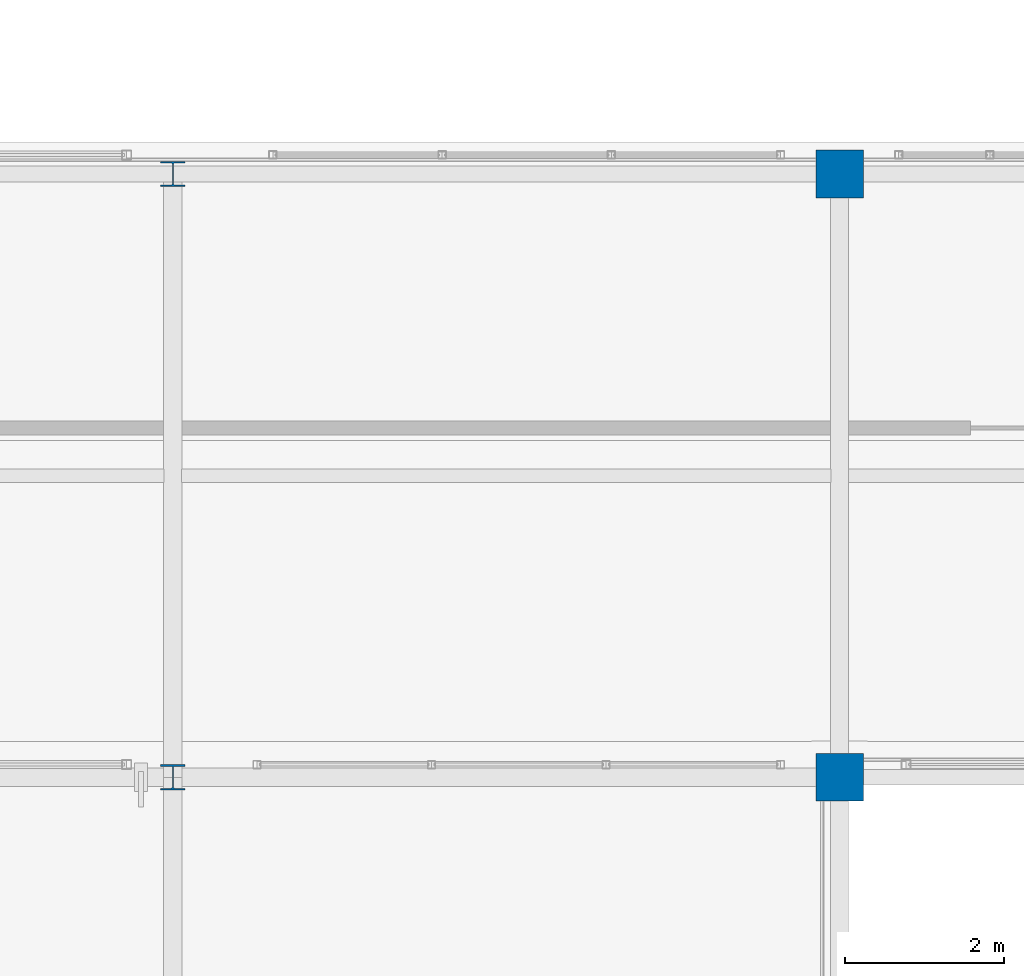
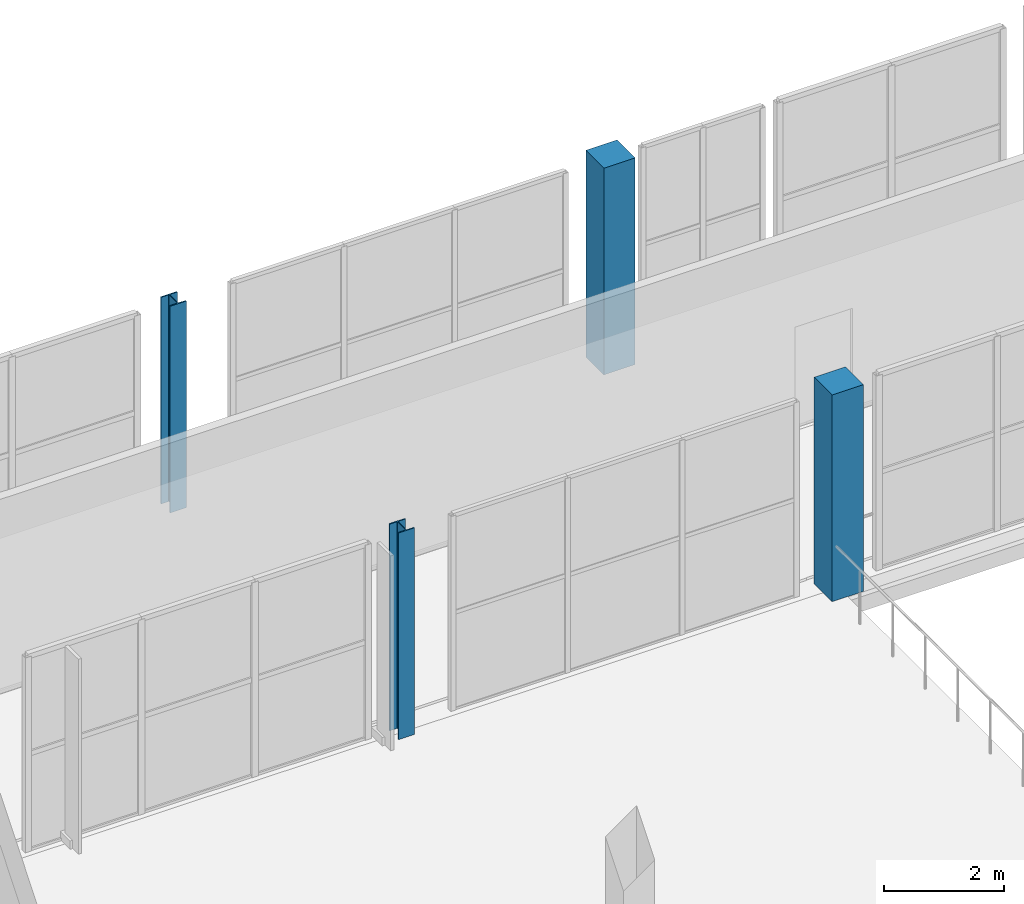
# One storey, part 3 of 151: 4 columns.
"""IFC4 building model written with IfcOpenShell, lengths in metres."""

from ifc_helpers import new_model, si_unit, direction, frame, origin, origin_2d, place, context, subcontext, project, spatial, rectangle, i_section, extrude, material, material_profile, profile_set, type_object, element, save


model = new_model("IFC4")

# Units and contexts
model_context = context("Model", 3, precision=1e-05, world=origin(), true_north=direction((0.0, 1.0)))
body_context = subcontext(model_context, "Body", "Model", "MODEL_VIEW")
ifc_project = project(units=[si_unit("LENGTHUNIT", "METRE"), si_unit("AREAUNIT", "SQUARE_METRE"), si_unit("VOLUMEUNIT", "CUBIC_METRE"), si_unit("PLANEANGLEUNIT", "RADIAN"), si_unit("MASSUNIT", "GRAM", prefix="KILO")], contexts=[model_context])

# Site, building, storey
site_placement = place(None, origin())
site = spatial("IfcSite", under=ifc_project, at=site_placement, CompositionType="ELEMENT")
building_placement = place(site_placement, origin())
building = spatial("IfcBuilding", under=site, at=building_placement, Name="Zuvorla Pavilion Media Centre", CompositionType="ELEMENT")
storey_placement = place(building_placement, frame((0.0, 0.0, 13.800048828125)))
storey = spatial("IfcBuildingStorey", under=building, at=storey_placement, Name="L03", CompositionType="ELEMENT", Elevation=13.800048828125)

# Columns
ifc_material_1 = material(Name="Concrete C40/50", Category="concrete")
ifc_material_profile_1 = material_profile(ifc_material_1, rectangle(XDim=0.60009765625, YDim=0.60009765625, at=origin_2d()), Name="RC 600x600")
ifc_profile_set_1 = profile_set([ifc_material_profile_1], Name="Concrete C40/50")
column_type_1 = type_object("IfcColumnType", Name="COL-RC600", PredefinedType="COLUMN", material=ifc_profile_set_1)
for number, where, z_axis, x_axis, name in (
    (1, (66.800048828125, 44.0, 0.0), (0.0, 0.0, 1.0), (1.0, 0.0, 0.0), "L03 column C03 511"),
    (2, (66.800048828125, 51.60009765625, 0.0), (0.0, 0.0, 1.0), (1.0, 0.0, 0.0), "L03 column C03 607"),
):
    element("IfcColumn", number, at=place(storey_placement, frame(where, z_axis=z_axis, x_axis=x_axis)), inside=storey, type_object=column_type_1, Name=name, PredefinedType="COLUMN", context=body_context, shape_type="SweptSolid", body=[
        extrude(rectangle(XDim=0.60009765625, YDim=0.60009765625, at=origin_2d()), origin(), (0.0, 0.0, 1.0), 4.199951171875),
    ])
ifc_material_2 = material(Name="Steel S355", Category="steel")
ifc_material_profile_2 = material_profile(ifc_material_2, i_section(OverallWidth=0.30908203125, OverallDepth=0.320556640625, WebThickness=0.013916015625, FlangeThickness=0.021728515625, FilletRadius=0.01513671875, at=origin_2d()), Name="UC 305x305x137")
ifc_profile_set_2 = profile_set([ifc_material_profile_2], Name="Steel S355")
column_type_2 = type_object("IfcColumnType", Name="COL-UC305", PredefinedType="COLUMN", material=ifc_profile_set_2)
for number, where, z_axis, x_axis, name in (
    (3, (58.39990234375, 44.0, 0.0), (0.0, 0.0, 1.0), (1.0, 0.0, 0.0), "L03 column C10 505"),
    (4, (58.39990234375, 51.60009765625, 0.0), (0.0, 0.0, 1.0), (1.0, 0.0, 0.0), "L03 column C10 602"),
):
    element("IfcColumn", number, at=place(storey_placement, frame(where, z_axis=z_axis, x_axis=x_axis)), inside=storey, type_object=column_type_2, Name=name, PredefinedType="COLUMN", context=body_context, shape_type="SweptSolid", body=[
        extrude(i_section(OverallWidth=0.30908203125, OverallDepth=0.320556640625, WebThickness=0.013916015625, FlangeThickness=0.021728515625, FilletRadius=0.01513671875, at=origin_2d()), origin(), (0.0, 0.0, 1.0), 4.199951171875),
    ])

save(model, "model.ifc")
